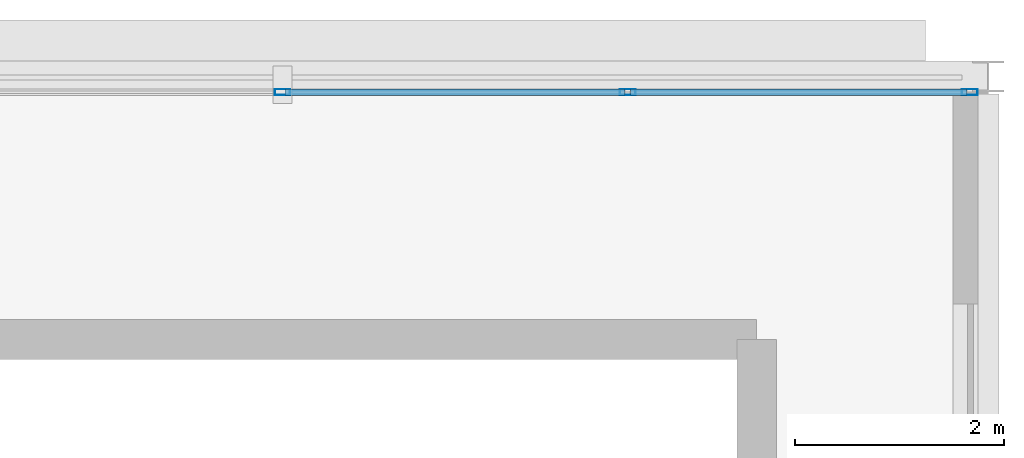
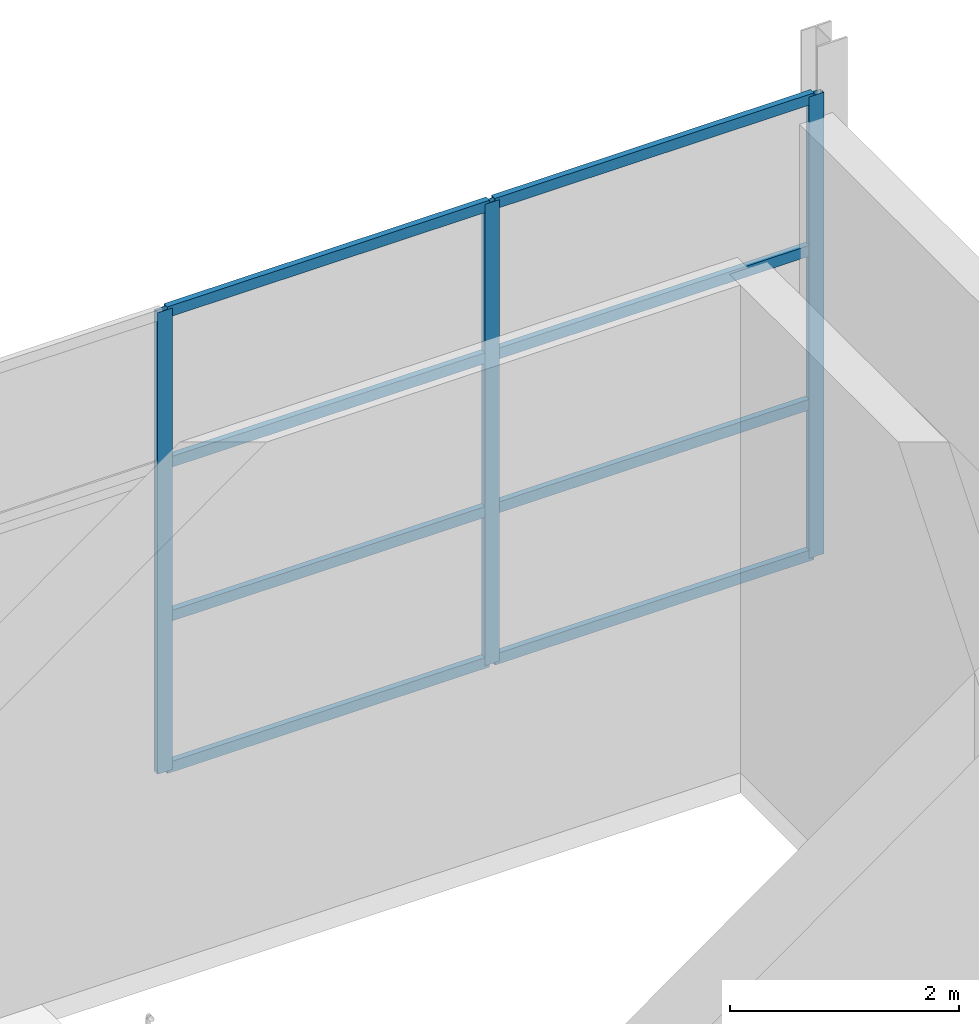
# One storey, part 29 of 34: 11 members, 1 element without a shape of its own.
"""IFC4 building model written with IfcOpenShell, lengths in metres."""

from ifc_helpers import new_model, si_unit, direction, frame, origin, origin_2d, place, context, subcontext, project, spatial, hollow_rectangle, extrude, material, layer, layer_set, material_profile, profile_set, type_object, element, aggregate, save


model = new_model("IFC4")

# Units and contexts
model_context = context("Model", 3, precision=1e-05, world=origin(), true_north=direction((0.0, 1.0)))
body_context = subcontext(model_context, "Body", "Model", "MODEL_VIEW")
ifc_project = project(units=[si_unit("LENGTHUNIT", "METRE"), si_unit("AREAUNIT", "SQUARE_METRE"), si_unit("VOLUMEUNIT", "CUBIC_METRE"), si_unit("PLANEANGLEUNIT", "RADIAN"), si_unit("MASSUNIT", "GRAM", prefix="KILO")], contexts=[model_context])

# Site, building, storey
site_placement = place(None, origin())
site = spatial("IfcSite", under=ifc_project, at=site_placement, CompositionType="ELEMENT")
building_placement = place(site_placement, origin())
building = spatial("IfcBuilding", under=site, at=building_placement, Name="Tamarisk Ironworks Central Station", CompositionType="ELEMENT")
storey_placement = place(building_placement, frame((0.0, 0.0, 25.199951171875)))
storey = spatial("IfcBuildingStorey", under=building, at=storey_placement, Name="L05", CompositionType="ELEMENT", Elevation=25.199951171875)

# Curtain wall, members
ifc_material = material(Name="Anodized aluminium alloy 6063-T6", Category="aluminium")
ifc_layer = layer(ifc_material, 0.179931640625)
ifc_layer_set = layer_set([ifc_layer], Name="Anodized aluminium alloy 6063-T6")
curtain_wall_type = type_object("IfcCurtainWallType", Name="CW-20", PredefinedType="USERDEFINED", material=ifc_layer_set)
curtain_wall_placement = place(storey_placement, origin())
curtain_wall = element("IfcCurtainWall", 1, at=curtain_wall_placement, inside=storey, type_object=curtain_wall_type, Name="Operations L05 north facade curtain wall 166", ObjectType="GLAZED CURTAIN WALL", PredefinedType="USERDEFINED")
ifc_material_profile_1 = material_profile(ifc_material, hollow_rectangle(XDim=0.06005859375, YDim=0.14990234375, WallThickness=0.00341796875, at=origin_2d()), Name="ALUM 150x60")
ifc_profile_set_1 = profile_set([ifc_material_profile_1], Name="Anodized aluminium alloy 6063-T6")
member_type_1 = type_object("IfcMemberType", Name="CWM-03", PredefinedType="MULLION", material=ifc_profile_set_1)
member_1_placement = place(storey_placement, frame((173.25, 122.25, 0.0), z_axis=(0.0, 0.0, 1.0), x_axis=(0.0, 1.0, 0.0)))
member_1 = element("IfcMember", 2, at=member_1_placement, type_object=member_type_1, Name="CW20 mullion 3", PredefinedType="MULLION", context=body_context, shape_type="SweptSolid", body=[
    extrude(hollow_rectangle(XDim=0.06005859375, YDim=0.14990234375, WallThickness=0.00341796875, at=origin_2d()), origin(), (0.0, 0.0, 1.0), 4.920166015625),
])
member_2_placement = place(storey_placement, frame((176.551025390625, 122.25, 0.0), z_axis=(0.0, 0.0, 1.0), x_axis=(0.0, 1.0, 0.0)))
member_2 = element("IfcMember", 3, at=member_2_placement, type_object=member_type_1, Name="CW20 mullion 4", PredefinedType="MULLION", context=body_context, shape_type="SweptSolid", body=[
    extrude(hollow_rectangle(XDim=0.06005859375, YDim=0.14990234375, WallThickness=0.00341796875, at=origin_2d()), origin(), (0.0, 0.0, 1.0), 4.920166015625),
])
member_3_placement = place(storey_placement, frame((179.822021484375, 122.25, 0.0), z_axis=(0.0, 0.0, 1.0), x_axis=(0.0, 1.0, 0.0)))
member_3 = element("IfcMember", 4, at=member_3_placement, type_object=member_type_1, Name="CW20 mullion 5", PredefinedType="MULLION", context=body_context, shape_type="SweptSolid", body=[
    extrude(hollow_rectangle(XDim=0.06005859375, YDim=0.14990234375, WallThickness=0.00341796875, at=origin_2d()), origin(), (0.0, 0.0, 1.0), 4.920166015625),
])
ifc_material_profile_2 = material_profile(ifc_material, hollow_rectangle(XDim=0.06005859375, YDim=0.114990234375, WallThickness=0.00341796875, at=origin_2d()), Name="ALUM 115x60")
ifc_profile_set_2 = profile_set([ifc_material_profile_2], Name="Anodized aluminium alloy 6063-T6")
member_type_2 = type_object("IfcMemberType", Name="CWT-03", PredefinedType="USERDEFINED", material=ifc_profile_set_2)
member_4_placement = place(storey_placement, frame((173.27587890625, 122.25, 0.030029296875), z_axis=(1.0, 0.0, 0.0), x_axis=(0.0, 1.0, 0.0)))
member_4 = element("IfcMember", 5, at=member_4_placement, type_object=member_type_2, Name="CW20 transom 3.1", ObjectType="TRANSOM", PredefinedType="USERDEFINED", context=body_context, shape_type="SweptSolid", body=[
    extrude(hollow_rectangle(XDim=0.06005859375, YDim=0.114990234375, WallThickness=0.00341796875, at=origin_2d()), origin(), (0.0, 0.0, 1.0), 3.2490234375),
])
member_5_placement = place(storey_placement, frame((173.27587890625, 122.25, 1.64013671875), z_axis=(1.0, 0.0, 0.0), x_axis=(0.0, 1.0, 0.0)))
member_5 = element("IfcMember", 6, at=member_5_placement, type_object=member_type_2, Name="CW20 transom 3.2", ObjectType="TRANSOM", PredefinedType="USERDEFINED", context=body_context, shape_type="SweptSolid", body=[
    extrude(hollow_rectangle(XDim=0.06005859375, YDim=0.114990234375, WallThickness=0.00341796875, at=origin_2d()), origin(), (0.0, 0.0, 1.0), 3.2490234375),
])
member_6_placement = place(storey_placement, frame((173.27587890625, 122.25, 3.280029296875), z_axis=(1.0, 0.0, 0.0), x_axis=(0.0, 1.0, 0.0)))
member_6 = element("IfcMember", 7, at=member_6_placement, type_object=member_type_2, Name="CW20 transom 3.3", ObjectType="TRANSOM", PredefinedType="USERDEFINED", context=body_context, shape_type="SweptSolid", body=[
    extrude(hollow_rectangle(XDim=0.06005859375, YDim=0.114990234375, WallThickness=0.00341796875, at=origin_2d()), origin(), (0.0, 0.0, 1.0), 3.2490234375),
])
member_7_placement = place(storey_placement, frame((173.27587890625, 122.25, 4.89013671875), z_axis=(1.0, 0.0, 0.0), x_axis=(0.0, 1.0, 0.0)))
member_7 = element("IfcMember", 8, at=member_7_placement, type_object=member_type_2, Name="CW20 transom 3.4", ObjectType="TRANSOM", PredefinedType="USERDEFINED", context=body_context, shape_type="SweptSolid", body=[
    extrude(hollow_rectangle(XDim=0.06005859375, YDim=0.114990234375, WallThickness=0.00341796875, at=origin_2d()), origin(), (0.0, 0.0, 1.0), 3.2490234375),
])
member_8_placement = place(storey_placement, frame((176.576904296875, 122.25, 0.030029296875), z_axis=(1.0, 0.0, 0.0), x_axis=(0.0, 1.0, 0.0)))
member_8 = element("IfcMember", 9, at=member_8_placement, type_object=member_type_2, Name="CW20 transom 4.1", ObjectType="TRANSOM", PredefinedType="USERDEFINED", context=body_context, shape_type="SweptSolid", body=[
    extrude(hollow_rectangle(XDim=0.06005859375, YDim=0.114990234375, WallThickness=0.00341796875, at=origin_2d()), origin(), (0.0, 0.0, 1.0), 3.218994140625),
])
member_9_placement = place(storey_placement, frame((176.576904296875, 122.25, 1.64013671875), z_axis=(1.0, 0.0, 0.0), x_axis=(0.0, 1.0, 0.0)))
member_9 = element("IfcMember", 10, at=member_9_placement, type_object=member_type_2, Name="CW20 transom 4.2", ObjectType="TRANSOM", PredefinedType="USERDEFINED", context=body_context, shape_type="SweptSolid", body=[
    extrude(hollow_rectangle(XDim=0.06005859375, YDim=0.114990234375, WallThickness=0.00341796875, at=origin_2d()), origin(), (0.0, 0.0, 1.0), 3.218994140625),
])
member_10_placement = place(storey_placement, frame((176.576904296875, 122.25, 3.280029296875), z_axis=(1.0, 0.0, 0.0), x_axis=(0.0, 1.0, 0.0)))
member_10 = element("IfcMember", 11, at=member_10_placement, type_object=member_type_2, Name="CW20 transom 4.3", ObjectType="TRANSOM", PredefinedType="USERDEFINED", context=body_context, shape_type="SweptSolid", body=[
    extrude(hollow_rectangle(XDim=0.06005859375, YDim=0.114990234375, WallThickness=0.00341796875, at=origin_2d()), origin(), (0.0, 0.0, 1.0), 3.218994140625),
])
member_11_placement = place(storey_placement, frame((176.576904296875, 122.25, 4.89013671875), z_axis=(1.0, 0.0, 0.0), x_axis=(0.0, 1.0, 0.0)))
member_11 = element("IfcMember", 12, at=member_11_placement, type_object=member_type_2, Name="CW20 transom 4.4", ObjectType="TRANSOM", PredefinedType="USERDEFINED", context=body_context, shape_type="SweptSolid", body=[
    extrude(hollow_rectangle(XDim=0.06005859375, YDim=0.114990234375, WallThickness=0.00341796875, at=origin_2d()), origin(), (0.0, 0.0, 1.0), 3.218994140625),
])
aggregate(curtain_wall, [member_1, member_2, member_3, member_4, member_5, member_6, member_7, member_8, member_9, member_10, member_11])

save(model, "model.ifc")
